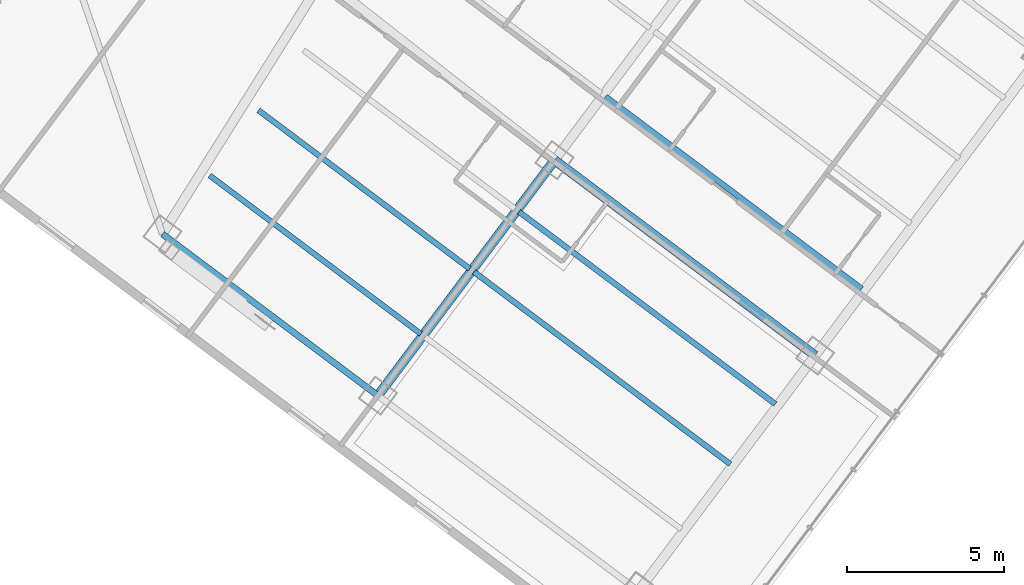
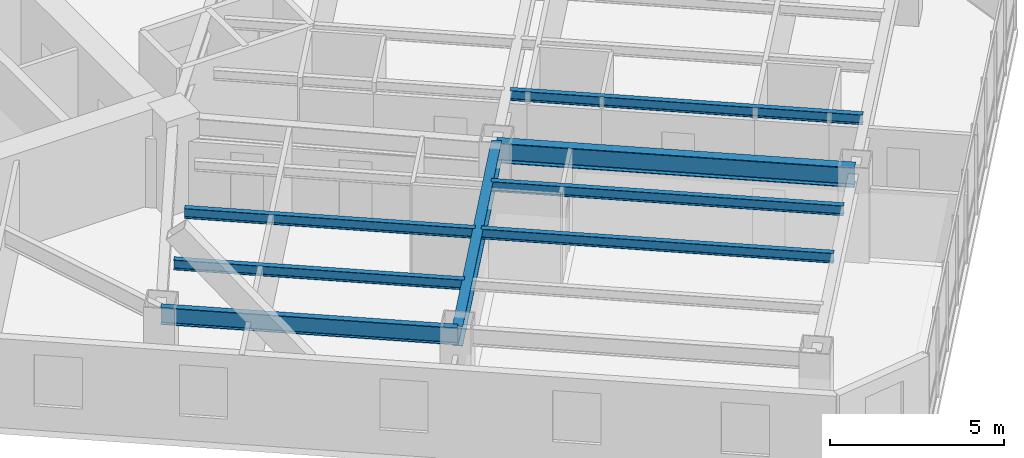
# One storey, part 7 of 31: 8 beams.
"""IFC4 building model written with IfcOpenShell, lengths in metres."""

from ifc_helpers import new_model, si_unit, direction, frame, origin, origin_2d, place, context, subcontext, project, spatial, i_section, extrude, material, material_profile, profile_set, type_object, element, save


model = new_model("IFC4")

# Units and contexts
model_context = context("Model", 3, precision=1e-05, world=origin(), true_north=direction((0.0, 1.0)))
body_context = subcontext(model_context, "Body", "Model", "MODEL_VIEW")
ifc_project = project(units=[si_unit("LENGTHUNIT", "METRE"), si_unit("AREAUNIT", "SQUARE_METRE"), si_unit("VOLUMEUNIT", "CUBIC_METRE"), si_unit("PLANEANGLEUNIT", "RADIAN"), si_unit("MASSUNIT", "GRAM", prefix="KILO")], contexts=[model_context])

# Site, building, storey
site_placement = place(None, origin())
site = spatial("IfcSite", under=ifc_project, at=site_placement, CompositionType="ELEMENT")
building_placement = place(site_placement, origin())
building = spatial("IfcBuilding", under=site, at=building_placement, Name="Hatsunagi Terrace Concourse", CompositionType="ELEMENT")
storey_placement = place(building_placement, frame((0.0, 0.0, 77.949951171875)))
storey = spatial("IfcBuildingStorey", under=building, at=storey_placement, Name="L20", CompositionType="ELEMENT", Elevation=77.949951171875)

# Beams
ifc_material_1 = material(Name="Steel SN490B", Category="steel")
ifc_material_profile_1 = material_profile(ifc_material_1, i_section(OverallWidth=0.300048828125, OverallDepth=0.699951171875, WebThickness=0.012939453125, FlangeThickness=0.02392578125, FilletRadius=0.02197265625, at=origin_2d()), Name="H-700x300x13x24")
ifc_profile_set_1 = profile_set([ifc_material_profile_1], Name="Steel SN490B")
beam_type_1 = type_object("IfcBeamType", Name="HotelFloorGirder_H_700x300", PredefinedType="BEAM", material=ifc_profile_set_1)
beam_1_placement = place(storey_placement, frame((45.56005859375, 10.8798828125, 2.780029296875), z_axis=(0.599991688754, 0.800006233367, 0.0), x_axis=(-0.800006233367, 0.599991688754, 0.0)))
element("IfcBeam", 1, at=beam_1_placement, inside=storey, type_object=beam_type_1, Name="Beam G-04 BM-L20-SET-2A", PredefinedType="BEAM", context=body_context, shape_type="SweptSolid", body=[
    extrude(i_section(OverallWidth=0.300048828125, OverallDepth=0.699951171875, WebThickness=0.012939453125, FlangeThickness=0.02392578125, FilletRadius=0.02197265625, at=origin_2d()), origin(), (0.0, 0.0, 1.0), 9.39990234375),
])
beam_2_placement = place(storey_placement, frame((51.199951171875, 18.39990234375, 2.780029296875), z_axis=(0.800002816985, -0.599996244001, 0.0), x_axis=(0.599996244001, 0.800002816985, 0.0)))
element("IfcBeam", 2, at=beam_2_placement, inside=storey, type_object=beam_type_1, Name="Beam G-04 BM-L20-SE-M3", PredefinedType="BEAM", context=body_context, shape_type="SweptSolid", body=[
    extrude(i_section(OverallWidth=0.300048828125, OverallDepth=0.699951171875, WebThickness=0.012939453125, FlangeThickness=0.02392578125, FilletRadius=0.02197265625, at=origin_2d()), origin(), (0.0, 0.0, 1.0), 10.400146484375),
])
ifc_material_2 = material(Name="Steel SN490B", Category="steel")
ifc_material_profile_2 = material_profile(ifc_material_2, i_section(OverallWidth=0.175048828125, OverallDepth=0.35009765625, WebThickness=0.007080078125, FlangeThickness=0.010986328125, FilletRadius=0.012939453125, at=origin_2d()), Name="H-350x175x7x11")
ifc_profile_set_2 = profile_set([ifc_material_profile_2], Name="Steel SN490B")
beam_type_2 = type_object("IfcBeamType", Name="HotelJoist_H_350x175", PredefinedType="JOIST", material=ifc_profile_set_2)
for number, where, z_axis, x_axis, name in (
    (3, (40.18798828125, 17.908935546875, 2.955078125), (0.800003475366, -0.59999536615, 0.0), (0.59999536615, 0.800003475366, 0.0), "Beam J-02 J-L20-SE-2-46"),
    (4, (41.748046875, 19.989013671875, 2.955078125), (0.799989573921, -0.600013901187, 0.0), (0.600013901187, 0.799989573921, 0.0), "Beam J-02 J-L20-SE-2-72"),
):
    element("IfcBeam", number, at=place(storey_placement, frame(where, z_axis=z_axis, x_axis=x_axis)), inside=storey, type_object=beam_type_2, Name=name, PredefinedType="JOIST", context=body_context, shape_type="SweptSolid", body=[
        extrude(i_section(OverallWidth=0.175048828125, OverallDepth=0.35009765625, WebThickness=0.007080078125, FlangeThickness=0.010986328125, FilletRadius=0.012939453125, at=origin_2d()), origin(), (0.0, 0.0, 1.0), 8.429931640625),
    ])
beam_3_placement = place(storey_placement, frame((48.6279296875, 14.8291015625, 2.955078125), z_axis=(0.799994272423, -0.600007636694, 0.0), x_axis=(0.600007636694, 0.799994272423, 0.0)))
element("IfcBeam", 5, at=beam_3_placement, inside=storey, type_object=beam_type_2, Name="Beam J-02 J-L20-SE-3-72", PredefinedType="JOIST", context=body_context, shape_type="SweptSolid", body=[
    extrude(i_section(OverallWidth=0.175048828125, OverallDepth=0.35009765625, WebThickness=0.007080078125, FlangeThickness=0.010986328125, FilletRadius=0.012939453125, at=origin_2d()), origin(), (0.0, 0.0, 1.0), 10.230224609375),
])
beam_4_placement = place(storey_placement, frame((50.068115234375, 16.7490234375, 2.955078125), z_axis=(0.799997136125, -0.600003818481, 0.0), x_axis=(0.600003818481, 0.799997136125, 0.0)))
element("IfcBeam", 6, at=beam_4_placement, inside=storey, type_object=beam_type_2, Name="Beam J-02 J-L20-SE-3-96", PredefinedType="JOIST", context=body_context, shape_type="SweptSolid", body=[
    extrude(i_section(OverallWidth=0.175048828125, OverallDepth=0.35009765625, WebThickness=0.007080078125, FlangeThickness=0.010986328125, FilletRadius=0.012939453125, at=origin_2d()), origin(), (0.0, 0.0, 1.0), 10.229736328125),
])
beam_5_placement = place(storey_placement, frame((52.827880859375, 20.428955078125, 2.955078125), z_axis=(0.800005727586, -0.599992363142, 0.0), x_axis=(0.599992363142, 0.800005727586, 0.0)))
element("IfcBeam", 7, at=beam_5_placement, inside=storey, type_object=beam_type_2, Name="Beam J-02 J-L20-SE-3-142", PredefinedType="JOIST", context=body_context, shape_type="SweptSolid", body=[
    extrude(i_section(OverallWidth=0.175048828125, OverallDepth=0.35009765625, WebThickness=0.007080078125, FlangeThickness=0.010986328125, FilletRadius=0.012939453125, at=origin_2d()), origin(), (0.0, 0.0, 1.0), 10.22998046875),
])
ifc_material_3 = material(Name="Steel SN490B", Category="steel")
ifc_material_profile_3 = material_profile(ifc_material_3, i_section(OverallWidth=0.199951171875, OverallDepth=0.60009765625, WebThickness=0.010986328125, FlangeThickness=0.01708984375, FilletRadius=0.01806640625, at=origin_2d()), Name="H-600x200x11x17")
ifc_profile_set_3 = profile_set([ifc_material_profile_3], Name="Steel SN490B")
beam_type_3 = type_object("IfcBeamType", Name="PerimeterSpandrel_H_600x200", PredefinedType="SPANDREL", material=ifc_profile_set_3)
beam_6_placement = place(storey_placement, frame((38.679931640625, 16.0400390625, 2.830078125), z_axis=(0.799996593451, -0.600004542038, 0.0), x_axis=(0.600004542038, 0.799996593451, 0.0)))
element("IfcBeam", 8, at=beam_6_placement, inside=storey, type_object=beam_type_3, Name="Beam SP-01 BM-L20-SE-SW2", PredefinedType="SPANDREL", context=body_context, shape_type="SweptSolid", body=[
    extrude(i_section(OverallWidth=0.199951171875, OverallDepth=0.60009765625, WebThickness=0.010986328125, FlangeThickness=0.01708984375, FilletRadius=0.01806640625, at=origin_2d()), origin(), (0.0, 0.0, 1.0), 8.60009765625),
])

save(model, "model.ifc")
